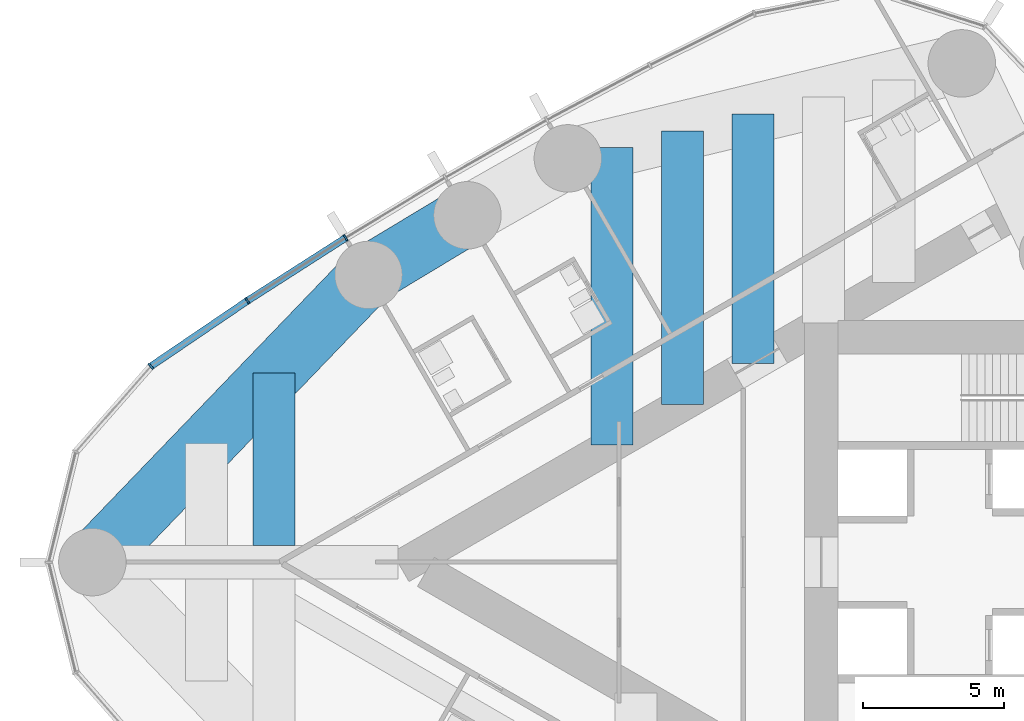
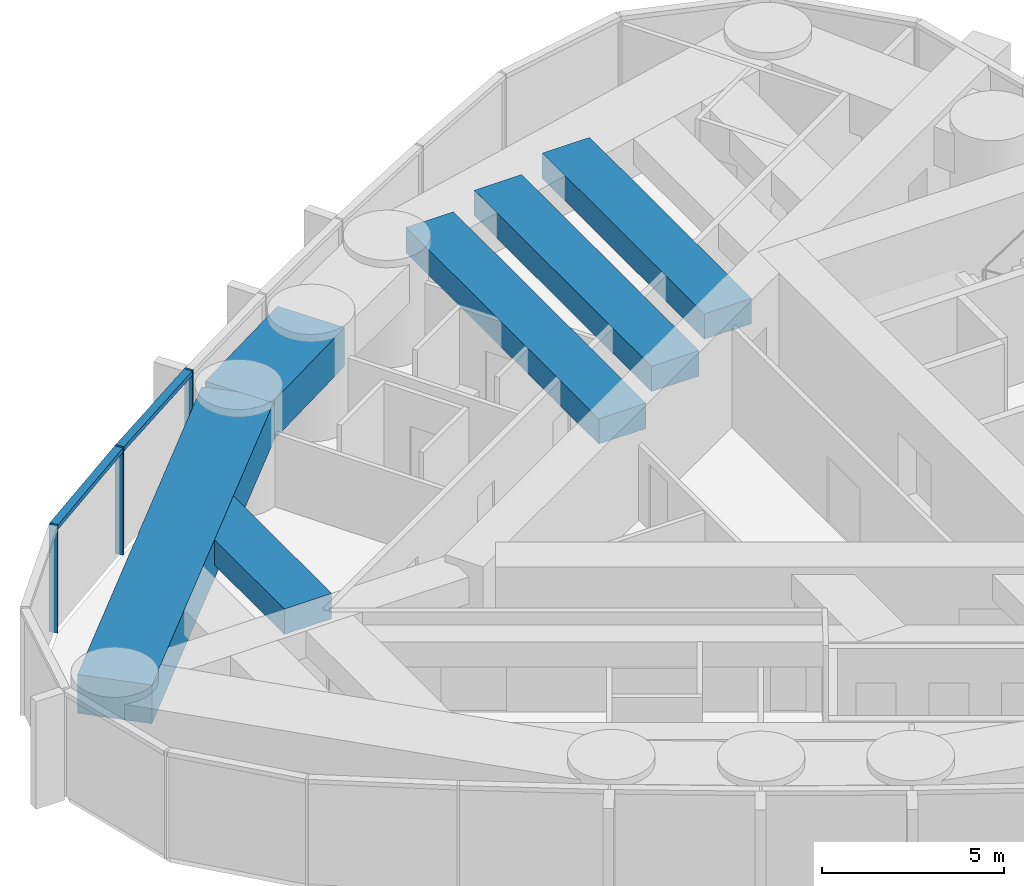
# One storey, part 4 of 24: 6 beams, 5 members, 1 element without a shape of its own.
"""IFC4 building model written with IfcOpenShell, lengths in metres."""

from ifc_helpers import new_model, si_unit, direction, frame, origin, origin_2d, place, context, subcontext, project, spatial, rectangle, extrude, material, material_profile, profile_set, type_object, element, aggregate, save


model = new_model("IFC4")

# Units and contexts
model_context = context("Model", 3, precision=1e-05, world=origin(), true_north=direction((0.0, 1.0)))
body_context = subcontext(model_context, "Body", "Model", "MODEL_VIEW")
ifc_project = project(units=[si_unit("LENGTHUNIT", "METRE"), si_unit("AREAUNIT", "SQUARE_METRE"), si_unit("VOLUMEUNIT", "CUBIC_METRE"), si_unit("PLANEANGLEUNIT", "RADIAN"), si_unit("MASSUNIT", "GRAM", prefix="KILO")], contexts=[model_context])

# Site, building, storey
site_placement = place(None, origin())
site = spatial("IfcSite", under=ifc_project, at=site_placement, CompositionType="ELEMENT")
building_placement = place(site_placement, origin())
building = spatial("IfcBuilding", under=site, at=building_placement, Name="Lancet Gate Hotel", CompositionType="ELEMENT")
storey_placement = place(building_placement, frame((0.0, 0.0, 244.10009765625)))
storey = spatial("IfcBuildingStorey", under=building, at=storey_placement, Name="L65", CompositionType="ELEMENT", Elevation=244.10009765625)

# Curtain wall, members
ifc_material_1 = material(Name="Aluminium curtain wall", Category="aluminium")
curtain_wall_type = type_object("IfcCurtainWallType", Name="Tower unitised curtain wall", PredefinedType="USERDEFINED", material=ifc_material_1)
curtain_wall_placement = place(storey_placement, origin())
curtain_wall = element("IfcCurtainWall", 1, at=curtain_wall_placement, inside=storey, type_object=curtain_wall_type, Name="T1 L65 curtain wall 1", ObjectType="UNITISED CURTAIN WALL", PredefinedType="USERDEFINED")
ifc_material_2 = material(Name="Aluminium mullion", Category="aluminium")
ifc_material_profile_1 = material_profile(ifc_material_2, rectangle(XDim=0.06494140625, YDim=0.25, at=origin_2d()), Name="MULLION 65x250")
ifc_profile_set_1 = profile_set([ifc_material_profile_1], Name="Aluminium mullion")
member_type_1 = type_object("IfcMemberType", Name="Aluminium mullion 65x250", PredefinedType="MULLION", material=ifc_profile_set_1)
member_1_placement = place(storey_placement, frame((-54.225830078125, 11.535400390625, 0.0), z_axis=(0.0, 0.0, 1.0), x_axis=(-0.849342388216, -0.527842313176, 0.0)))
member_1 = element("IfcMember", 2, at=member_1_placement, type_object=member_type_1, Name="T1 L65 curtain wall 1 mullion 9", PredefinedType="MULLION", context=body_context, shape_type="SweptSolid", body=[
    extrude(rectangle(XDim=0.06494140625, YDim=0.25, at=origin_2d()), origin(), (0.0, 0.0, 1.0), 3.599853515625),
])
member_2_placement = place(storey_placement, frame((-57.72021484375, 9.298095703125, 0.0), z_axis=(0.0, 0.0, 1.0), x_axis=(-0.834827178542, -0.550512108829, 0.0)))
member_2 = element("IfcMember", 3, at=member_2_placement, type_object=member_type_1, Name="T1 L65 curtain wall 1 mullion 10", PredefinedType="MULLION", context=body_context, shape_type="SweptSolid", body=[
    extrude(rectangle(XDim=0.06494140625, YDim=0.25, at=origin_2d()), origin(), (0.0, 0.0, 1.0), 3.599853515625),
])
member_3_placement = place(storey_placement, frame((-61.15283203125, 6.967529296875, 0.0), z_axis=(0.0, 0.0, 1.0), x_axis=(-0.750715604757, -0.660625522345, 0.0)))
member_3 = element("IfcMember", 4, at=member_3_placement, type_object=member_type_1, Name="T1 L65 curtain wall 1 mullion 11", PredefinedType="MULLION", context=body_context, shape_type="SweptSolid", body=[
    extrude(rectangle(XDim=0.06494140625, YDim=0.25, at=origin_2d()), origin(), (0.0, 0.0, 1.0), 3.599853515625),
])
ifc_material_3 = material(Name="Aluminium transom", Category="aluminium")
ifc_material_profile_2 = material_profile(ifc_material_3, rectangle(XDim=0.25, YDim=0.14990234375, at=origin_2d()), Name="TRANSOM 250x150")
ifc_profile_set_2 = profile_set([ifc_material_profile_2], Name="Aluminium transom")
member_type_2 = type_object("IfcMemberType", Name="Aluminium transom 250x150", PredefinedType="USERDEFINED", material=ifc_profile_set_2)
member_4_placement = place(storey_placement, frame((-54.253173828125, 11.51806640625, 3.52490234375), z_axis=(-0.842144358733, -0.539252147937, 0.0), x_axis=(0.539252147937, -0.842144358733, 0.0)))
member_4 = element("IfcMember", 5, at=member_4_placement, type_object=member_type_2, Name="T1 L65 curtain wall 1 transom 9", ObjectType="TRANSOM", PredefinedType="USERDEFINED", context=body_context, shape_type="SweptSolid", body=[
    extrude(rectangle(XDim=0.25, YDim=0.14990234375, at=origin_2d()), origin(), (0.0, 0.0, 1.0), 4.084228515625),
])
member_5_placement = place(storey_placement, frame((-57.7470703125, 9.27978515625, 3.52490234375), z_axis=(-0.827348780456, -0.561688521761, 0.0), x_axis=(0.561688521761, -0.827348780456, 0.0)))
member_5 = element("IfcMember", 6, at=member_5_placement, type_object=member_type_2, Name="T1 L65 curtain wall 1 transom 10", ObjectType="TRANSOM", PredefinedType="USERDEFINED", context=body_context, shape_type="SweptSolid", body=[
    extrude(rectangle(XDim=0.25, YDim=0.14990234375, at=origin_2d()), origin(), (0.0, 0.0, 1.0), 4.083984375),
])
aggregate(curtain_wall, [member_1, member_2, member_3, member_4, member_5])

# Beams
ifc_material_4 = material(Name="Concrete C50/60", Category="concrete")
ifc_material_profile_3 = material_profile(ifc_material_4, rectangle(XDim=2.10009765625, YDim=1.300048828125, at=origin_2d()), Name="RC 2100x1300")
ifc_profile_set_3 = profile_set([ifc_material_profile_3], Name="Concrete C50/60")
beam_type_1 = type_object("IfcBeamType", Name="Edge beam RC 2100x1300", PredefinedType="SPANDREL", material=ifc_profile_set_3)
beam_1_placement = place(storey_placement, frame((-49.89013671875, 12.340087890625, 2.699951171875), z_axis=(-0.856358061538, -0.516382484636, 0.0), x_axis=(0.516382484636, -0.856358061538, 0.0)))
element("IfcBeam", 7, at=beam_1_placement, inside=storey, type_object=beam_type_1, Name="T1 edge beam EB1 L65", PredefinedType="SPANDREL", context=body_context, shape_type="SweptSolid", body=[
    extrude(rectangle(XDim=2.10009765625, YDim=1.300048828125, at=origin_2d()), origin(), (0.0, 0.0, 1.0), 4.107666015625),
])
beam_2_placement = place(storey_placement, frame((-53.40771484375, 10.218994140625, 2.699951171875), z_axis=(-0.693134527053, -0.720808245934, 0.0), x_axis=(0.720808245934, -0.693134527053, 0.0)))
element("IfcBeam", 8, at=beam_2_placement, inside=storey, type_object=beam_type_1, Name="T1 edge beam EB1 L65", PredefinedType="SPANDREL", context=body_context, shape_type="SweptSolid", body=[
    extrude(rectangle(XDim=2.10009765625, YDim=1.300048828125, at=origin_2d()), origin(), (0.0, 0.0, 1.0), 14.17724609375),
])
ifc_material_5 = material(Name="Concrete C50/60", Category="concrete")
ifc_material_profile_4 = material_profile(ifc_material_5, rectangle(XDim=1.5, YDim=0.85009765625, at=origin_2d()), Name="RC 1500x850")
ifc_profile_set_4 = profile_set([ifc_material_profile_4], Name="Concrete C50/60")
beam_type_2 = type_object("IfcBeamType", Name="Floor beam RC 1500x850", PredefinedType="BEAM", material=ifc_profile_set_4)
beam_3_placement = place(storey_placement, frame((-39.734130859375, 15.952880859375, 2.9248046875), z_axis=(0.0, -1.0, 0.0), x_axis=(1.0, 0.0, 0.0)))
element("IfcBeam", 9, at=beam_3_placement, inside=storey, type_object=beam_type_2, Name="T1 floor beam F05S L65", PredefinedType="BEAM", context=body_context, shape_type="SweptSolid", body=[
    extrude(rectangle(XDim=1.5, YDim=0.85009765625, at=origin_2d()), origin(), (0.0, 0.0, 1.0), 8.889404296875),
])
beam_4_placement = place(storey_placement, frame((-42.240966796875, 15.348388671875, 2.9248046875), z_axis=(0.0, -1.0, 0.0), x_axis=(1.0, 0.0, 0.0)))
element("IfcBeam", 10, at=beam_4_placement, inside=storey, type_object=beam_type_2, Name="T1 floor beam F06S L65", PredefinedType="BEAM", context=body_context, shape_type="SweptSolid", body=[
    extrude(rectangle(XDim=1.5, YDim=0.85009765625, at=origin_2d()), origin(), (0.0, 0.0, 1.0), 9.732421875),
])
beam_5_placement = place(storey_placement, frame((-44.747802734375, 14.743896484375, 2.9248046875), z_axis=(0.0, -1.0, 0.0), x_axis=(1.0, 0.0, 0.0)))
element("IfcBeam", 11, at=beam_5_placement, inside=storey, type_object=beam_type_2, Name="T1 floor beam F08S L65", PredefinedType="BEAM", context=body_context, shape_type="SweptSolid", body=[
    extrude(rectangle(XDim=1.5, YDim=0.85009765625, at=origin_2d()), origin(), (0.0, 0.0, 1.0), 10.5751953125),
])
beam_6_placement = place(storey_placement, frame((-56.768310546875, 6.72412109375, 2.9248046875), z_axis=(0.0, -1.0, 0.0), x_axis=(1.0, 0.0, 0.0)))
element("IfcBeam", 12, at=beam_6_placement, inside=storey, type_object=beam_type_2, Name="T1 floor beam F09S L65", PredefinedType="BEAM", context=body_context, shape_type="SweptSolid", body=[
    extrude(rectangle(XDim=1.5, YDim=0.85009765625, at=origin_2d()), origin(), (0.0, 0.0, 1.0), 6.1240234375),
])

save(model, "model.ifc")
